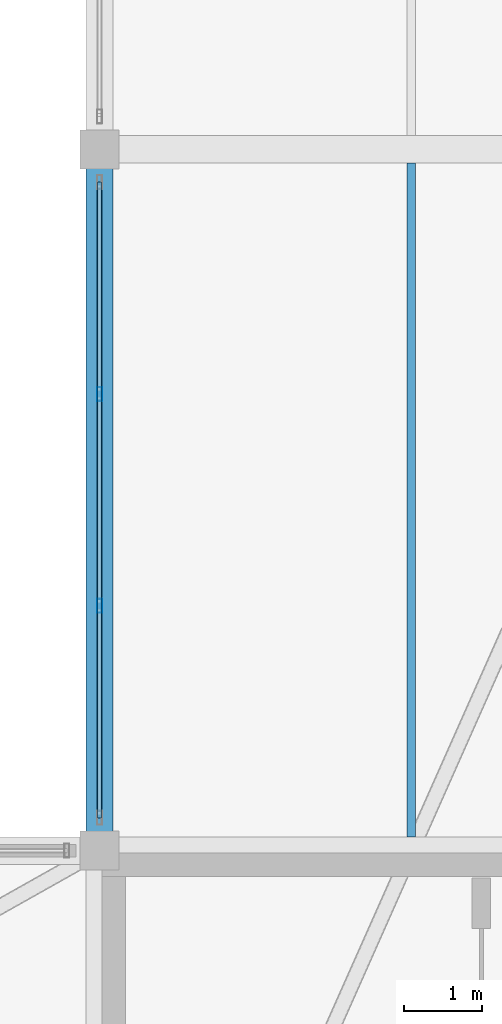
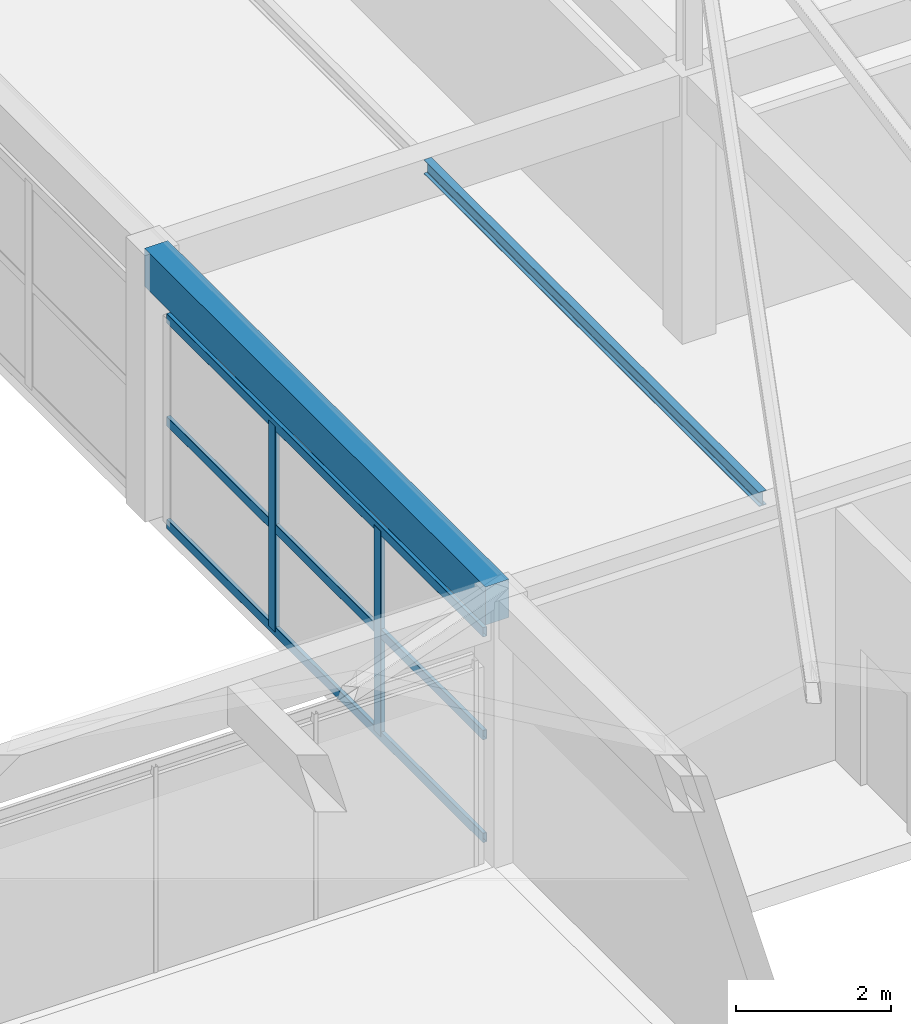
# One storey, part 36 of 65: 5 members, 2 beams, 1 element without a shape of its own.
"""IFC4 building model written with IfcOpenShell, lengths in metres."""

from ifc_helpers import new_model, si_unit, direction, frame, origin, origin_2d, place, context, subcontext, project, spatial, rectangle, hollow_rectangle, i_section, extrude, material, material_profile, profile_set, type_object, element, aggregate, save


model = new_model("IFC4")

# Units and contexts
model_context = context("Model", 3, precision=1e-05, world=origin(), true_north=direction((0.0, 1.0)))
body_context = subcontext(model_context, "Body", "Model", "MODEL_VIEW")
ifc_project = project(units=[si_unit("LENGTHUNIT", "METRE"), si_unit("AREAUNIT", "SQUARE_METRE"), si_unit("VOLUMEUNIT", "CUBIC_METRE"), si_unit("PLANEANGLEUNIT", "RADIAN"), si_unit("MASSUNIT", "GRAM", prefix="KILO")], contexts=[model_context])

# Site, building, storey
site_placement = place(None, origin())
site = spatial("IfcSite", under=ifc_project, at=site_placement, CompositionType="ELEMENT")
building_placement = place(site_placement, origin())
building = spatial("IfcBuilding", under=site, at=building_placement, Name="Varnabhumi Central Station", CompositionType="ELEMENT")
storey_placement = place(building_placement, frame((0.0, 0.0, 24.60009765625)))
storey = spatial("IfcBuildingStorey", under=building, at=storey_placement, Name="L05", CompositionType="ELEMENT", Elevation=24.60009765625)

# Beams
ifc_material_1 = material(Name="Concrete M40", Category="concrete")
ifc_material_profile_1 = material_profile(ifc_material_1, rectangle(XDim=0.35009765625, YDim=0.60009765625, at=origin_2d()), Name="Concrete M40", Category="concrete")
ifc_profile_set_1 = profile_set([ifc_material_profile_1], Name="Concrete M40")
beam_type_1 = type_object("IfcBeamType", Name="BM-RC-350x600", PredefinedType="BEAM", material=ifc_profile_set_1)
beam_1_placement = place(storey_placement, frame((144.0, 9.10009765625, 3.89990234375), z_axis=(0.0, 1.0, 0.0), x_axis=(-1.0, 0.0, 0.0)))
element("IfcBeam", 1, at=beam_1_placement, inside=storey, type_object=beam_type_1, Name="Beam L05-19:B-C", PredefinedType="BEAM", context=body_context, shape_type="SweptSolid", body=[
    extrude(rectangle(XDim=0.35009765625, YDim=0.60009765625, at=origin_2d()), origin(), (0.0, 0.0, 1.0), 8.7998046875),
])
ifc_material_2 = material(Name="Structural steel E350", Category="steel")
ifc_material_profile_2 = material_profile(ifc_material_2, i_section(OverallWidth=0.110107421875, OverallDepth=0.22509765625, WebThickness=0.006591796875, FlangeThickness=0.01171875, FilletRadius=0.011962890625, at=origin_2d()), Name="Structural steel E350", Category="steel")
ifc_profile_set_2 = profile_set([ifc_material_profile_2], Name="Structural steel E350")
beam_type_2 = type_object("IfcBeamType", Name="BM-STL-ISMB225", PredefinedType="JOIST", material=ifc_profile_set_2)
beam_2_placement = place(storey_placement, frame((148.0, 9.175048828125, 4.08740234375), z_axis=(0.0, 1.0, 0.0), x_axis=(-1.0, 0.0, 0.0)))
element("IfcBeam", 2, at=beam_2_placement, inside=storey, type_object=beam_type_2, Name="Secondary Joist L05-19/20:B-C", PredefinedType="JOIST", context=body_context, shape_type="SweptSolid", body=[
    extrude(i_section(OverallWidth=0.110107421875, OverallDepth=0.22509765625, WebThickness=0.006591796875, FlangeThickness=0.01171875, FilletRadius=0.011962890625, at=origin_2d()), origin(), (0.0, 0.0, 1.0), 8.64990234375),
])

# Curtain wall, members
ifc_material_3 = material(Name="Anodised aluminium 6063-T6", Category="aluminium")
curtain_wall_type = type_object("IfcCurtainWallType", Name="CW-PATIO-LOGGIA-L3", PredefinedType="NOTDEFINED", material=ifc_material_3)
curtain_wall_placement = place(storey_placement, origin())
curtain_wall = element("IfcCurtainWall", 3, at=curtain_wall_placement, inside=storey, type_object=curtain_wall_type, Name="Curtain Wall CW-SP5W1", PredefinedType="NOTDEFINED")
ifc_material_profile_3 = material_profile(ifc_material_3, hollow_rectangle(XDim=0.06494140625, YDim=0.179931640625, WallThickness=0.00390625, InnerFilletRadius=0.001953125, OuterFilletRadius=0.006103515625, at=origin_2d()), Name="Anodised aluminium 6063-T6", Category="aluminium")
ifc_profile_set_3 = profile_set([ifc_material_profile_3], Name="Anodised aluminium 6063-T6")
member_type_1 = type_object("IfcMemberType", Name="CW-MUL-180", PredefinedType="MULLION", material=ifc_profile_set_3)
member_1_placement = place(storey_placement, frame((144.0, 12.139892578125, 0.0), z_axis=(0.0, 0.0, 1.0), x_axis=(1.0, 0.0, 0.0)))
member_1 = element("IfcMember", 4, at=member_1_placement, type_object=member_type_1, Name="Curtain Wall Mullion CW-SP5W1-M2", PredefinedType="MULLION", context=body_context, shape_type="SweptSolid", body=[
    extrude(hollow_rectangle(XDim=0.06494140625, YDim=0.179931640625, WallThickness=0.00390625, InnerFilletRadius=0.001953125, OuterFilletRadius=0.006103515625, at=origin_2d()), origin(), (0.0, 0.0, 1.0), 3.239990234375),
])
member_2_placement = place(storey_placement, frame((144.0, 14.860107421875, 0.0), z_axis=(0.0, 0.0, 1.0), x_axis=(1.0, 0.0, 0.0)))
member_2 = element("IfcMember", 5, at=member_2_placement, type_object=member_type_1, Name="Curtain Wall Mullion CW-SP5W1-M3", PredefinedType="MULLION", context=body_context, shape_type="SweptSolid", body=[
    extrude(hollow_rectangle(XDim=0.06494140625, YDim=0.179931640625, WallThickness=0.00390625, InnerFilletRadius=0.001953125, OuterFilletRadius=0.006103515625, at=origin_2d()), origin(), (0.0, 0.0, 1.0), 3.239990234375),
])
ifc_material_profile_4 = material_profile(ifc_material_3, hollow_rectangle(XDim=0.06005859375, YDim=0.14990234375, WallThickness=0.00390625, InnerFilletRadius=0.001953125, OuterFilletRadius=0.006103515625, at=origin_2d()), Name="Anodised aluminium 6063-T6", Category="aluminium")
ifc_profile_set_4 = profile_set([ifc_material_profile_4], Name="Anodised aluminium 6063-T6")
member_type_2 = type_object("IfcMemberType", Name="CW-TR-150", PredefinedType="USERDEFINED", material=ifc_profile_set_4)
member_3_placement = place(storey_placement, frame((144.0, 9.419921875, 0.0), z_axis=(0.0, 1.0, 0.0), x_axis=(-1.0, 0.0, 0.0)))
member_3 = element("IfcMember", 6, at=member_3_placement, type_object=member_type_2, Name="Curtain Wall Transom CW-SP5W1-T1", ObjectType="TRANSOM", PredefinedType="USERDEFINED", context=body_context, shape_type="SweptSolid", body=[
    extrude(hollow_rectangle(XDim=0.06005859375, YDim=0.14990234375, WallThickness=0.00390625, InnerFilletRadius=0.001953125, OuterFilletRadius=0.006103515625, at=origin_2d()), origin(), (0.0, 0.0, 1.0), 8.16015625),
])
member_4_placement = place(storey_placement, frame((144.0, 9.419921875, 1.619873046875), z_axis=(0.0, 1.0, 0.0), x_axis=(-1.0, 0.0, 0.0)))
member_4 = element("IfcMember", 7, at=member_4_placement, type_object=member_type_2, Name="Curtain Wall Transom CW-SP5W1-T2", ObjectType="TRANSOM", PredefinedType="USERDEFINED", context=body_context, shape_type="SweptSolid", body=[
    extrude(hollow_rectangle(XDim=0.06005859375, YDim=0.14990234375, WallThickness=0.00390625, InnerFilletRadius=0.001953125, OuterFilletRadius=0.006103515625, at=origin_2d()), origin(), (0.0, 0.0, 1.0), 8.16015625),
])
member_5_placement = place(storey_placement, frame((144.0, 9.419921875, 3.239990234375), z_axis=(0.0, 1.0, 0.0), x_axis=(-1.0, 0.0, 0.0)))
member_5 = element("IfcMember", 8, at=member_5_placement, type_object=member_type_2, Name="Curtain Wall Transom CW-SP5W1-T3", ObjectType="TRANSOM", PredefinedType="USERDEFINED", context=body_context, shape_type="SweptSolid", body=[
    extrude(hollow_rectangle(XDim=0.06005859375, YDim=0.14990234375, WallThickness=0.00390625, InnerFilletRadius=0.001953125, OuterFilletRadius=0.006103515625, at=origin_2d()), origin(), (0.0, 0.0, 1.0), 8.16015625),
])
aggregate(curtain_wall, [member_1, member_2, member_3, member_4, member_5])

save(model, "model.ifc")
